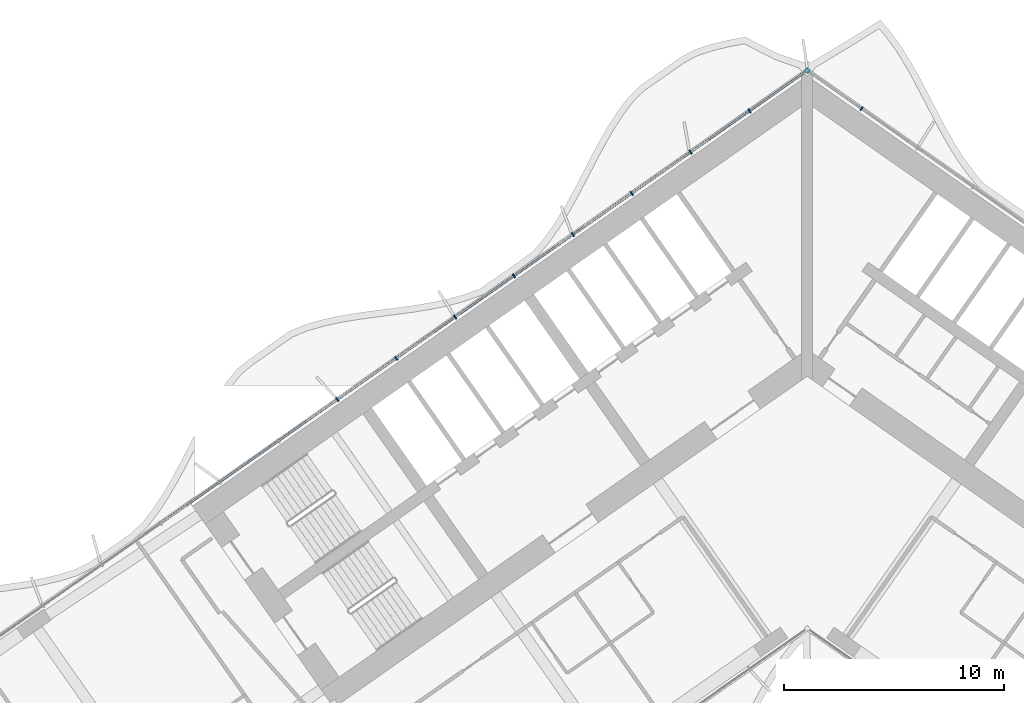
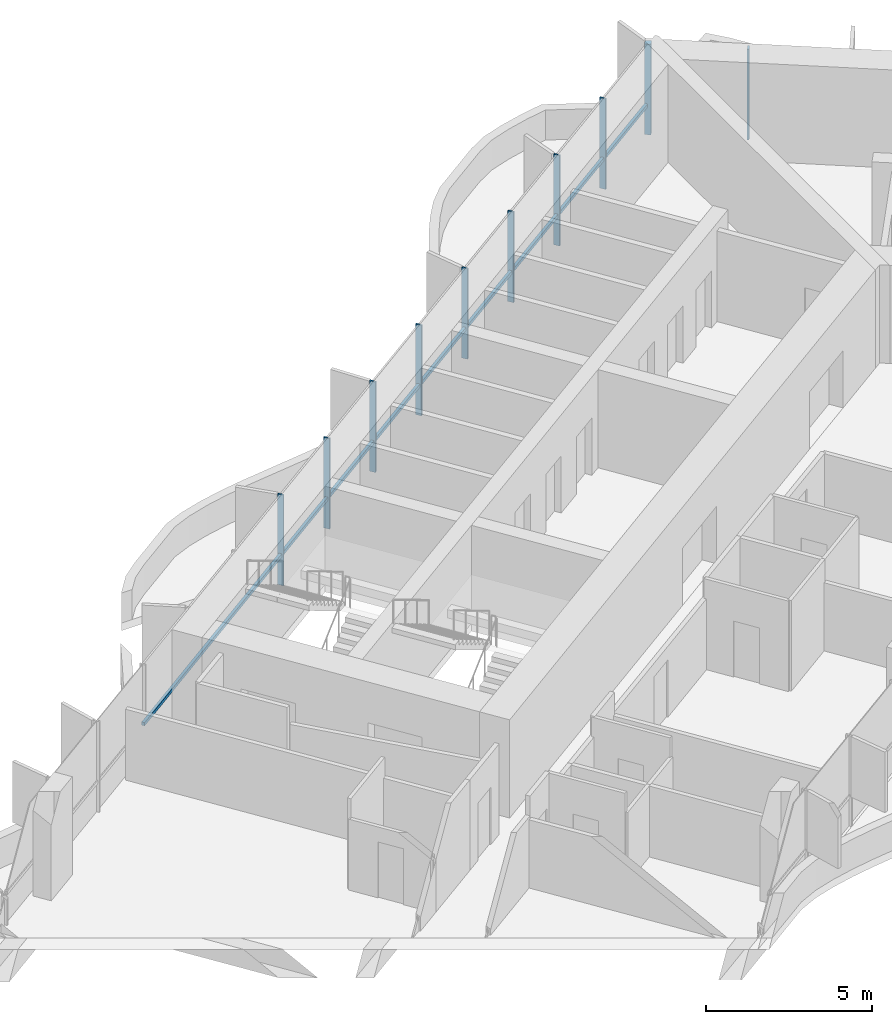
# One storey, part 7 of 23: 11 members, 1 element without a shape of its own.
"""IFC4 building model written with IfcOpenShell, lengths in metres."""

from ifc_helpers import new_model, si_unit, direction, frame, origin, origin_2d, place, context, subcontext, project, spatial, rectangle, extrude, material, material_profile, profile_set, type_object, element, aggregate, save


model = new_model("IFC4")

# Units and contexts
model_context = context("Model", 3, precision=1e-05, world=origin(), true_north=direction((0.0, 1.0)))
body_context = subcontext(model_context, "Body", "Model", "MODEL_VIEW")
ifc_project = project(units=[si_unit("LENGTHUNIT", "METRE"), si_unit("AREAUNIT", "SQUARE_METRE"), si_unit("VOLUMEUNIT", "CUBIC_METRE"), si_unit("PLANEANGLEUNIT", "RADIAN"), si_unit("MASSUNIT", "GRAM", prefix="KILO")], contexts=[model_context])

# Site, building, storey
site_placement = place(None, origin())
site = spatial("IfcSite", under=ifc_project, at=site_placement, CompositionType="ELEMENT")
building_placement = place(site_placement, origin())
building = spatial("IfcBuilding", under=site, at=building_placement, Name="Tel Ilan Convention Tower", CompositionType="ELEMENT")
storey_placement = place(building_placement, frame((0.0, 0.0, 83.300048828125)))
storey = spatial("IfcBuildingStorey", under=building, at=storey_placement, Name="L16", CompositionType="ELEMENT", Elevation=83.300048828125)

# Curtain wall, members
ifc_material_1 = material(Name="Aluminium, bronze anodised", Category="aluminium")
curtain_wall_type = type_object("IfcCurtainWallType", Name="CW2 STICK CURTAIN WALL, SPANDREL PANELS", PredefinedType="NOTDEFINED", material=ifc_material_1)
curtain_wall_placement = place(storey_placement, origin())
curtain_wall = element("IfcCurtainWall", 1, at=curtain_wall_placement, inside=storey, type_object=curtain_wall_type, Name="Curtain wall CW2-15.01", PredefinedType="NOTDEFINED")
ifc_material_2 = material(Name="Aluminium, bronze anodised", Category="aluminium")
ifc_material_profile_1 = material_profile(ifc_material_2, rectangle(XDim=0.199951171875, YDim=0.199951171875, at=origin_2d()), Name="CW CORNER MULLION 200x200")
ifc_profile_set_1 = profile_set([ifc_material_profile_1], Name="Aluminium, bronze anodised")
member_type_1 = type_object("IfcMemberType", Name="CW CORNER MULLION 200x200", PredefinedType="MULLION", material=ifc_profile_set_1)
member_1_placement = place(storey_placement, frame((0.0, 12.696044921875, 0.0), z_axis=(0.0, 0.0, 1.0), x_axis=(-0.819152044289, 0.573576436351, 0.0)))
member_1 = element("IfcMember", 2, at=member_1_placement, type_object=member_type_1, Name="Corner mullion", PredefinedType="MULLION", context=body_context, shape_type="SweptSolid", body=[
    extrude(rectangle(XDim=0.199951171875, YDim=0.199951171875, at=origin_2d()), origin(), (0.0, 0.0, 1.0), 3.320068359375),
])
ifc_material_3 = material(Name="Aluminium, bronze anodised", Category="aluminium")
ifc_material_profile_2 = material_profile(ifc_material_3, rectangle(XDim=0.06005859375, YDim=0.199951171875, at=origin_2d()), Name="CW MULLION 60x200")
ifc_profile_set_2 = profile_set([ifc_material_profile_2], Name="Aluminium, bronze anodised")
member_type_2 = type_object("IfcMemberType", Name="CW MULLION 60x200", PredefinedType="MULLION", material=ifc_profile_set_2)
member_2_placement = place(storey_placement, frame((2.4794921875, 10.9599609375, 0.0), z_axis=(0.0, 0.0, 1.0), x_axis=(-0.819152044289, 0.573576436351, 0.0)))
member_2 = element("IfcMember", 3, at=member_2_placement, type_object=member_type_2, Name="Mullion", PredefinedType="MULLION", context=body_context, shape_type="SweptSolid", body=[
    extrude(rectangle(XDim=0.06005859375, YDim=0.199951171875, at=origin_2d()), origin(), (0.0, 0.0, 1.0), 3.320068359375),
])
member_3_placement = place(storey_placement, frame((-2.622802734375, 10.859375, 0.0), z_axis=(0.0, 0.0, 1.0), x_axis=(-0.819152044289, -0.573576436351, 0.0)))
member_3 = element("IfcMember", 4, at=member_3_placement, type_object=member_type_2, Name="Mullion", PredefinedType="MULLION", context=body_context, shape_type="SweptSolid", body=[
    extrude(rectangle(XDim=0.06005859375, YDim=0.199951171875, at=origin_2d()), origin(), (0.0, 0.0, 1.0), 3.320068359375),
])
member_4_placement = place(storey_placement, frame((-5.30322265625, 8.982666015625, 0.0), z_axis=(0.0, 0.0, 1.0), x_axis=(-0.819152044289, -0.573576436351, 0.0)))
member_4 = element("IfcMember", 5, at=member_4_placement, type_object=member_type_2, Name="Mullion", PredefinedType="MULLION", context=body_context, shape_type="SweptSolid", body=[
    extrude(rectangle(XDim=0.06005859375, YDim=0.199951171875, at=origin_2d()), origin(), (0.0, 0.0, 1.0), 3.320068359375),
])
member_5_placement = place(storey_placement, frame((-7.9833984375, 7.10595703125, 0.0), z_axis=(0.0, 0.0, 1.0), x_axis=(-0.819152044289, -0.573576436351, 0.0)))
member_5 = element("IfcMember", 6, at=member_5_placement, type_object=member_type_2, Name="Mullion", PredefinedType="MULLION", context=body_context, shape_type="SweptSolid", body=[
    extrude(rectangle(XDim=0.06005859375, YDim=0.199951171875, at=origin_2d()), origin(), (0.0, 0.0, 1.0), 3.320068359375),
])
member_6_placement = place(storey_placement, frame((-10.663818359375, 5.229248046875, 0.0), z_axis=(0.0, 0.0, 1.0), x_axis=(-0.819152044289, -0.573576436351, 0.0)))
member_6 = element("IfcMember", 7, at=member_6_placement, type_object=member_type_2, Name="Mullion", PredefinedType="MULLION", context=body_context, shape_type="SweptSolid", body=[
    extrude(rectangle(XDim=0.06005859375, YDim=0.199951171875, at=origin_2d()), origin(), (0.0, 0.0, 1.0), 3.320068359375),
])
member_7_placement = place(storey_placement, frame((-13.343994140625, 3.3525390625, 0.0), z_axis=(0.0, 0.0, 1.0), x_axis=(-0.819152044289, -0.573576436351, 0.0)))
member_7 = element("IfcMember", 8, at=member_7_placement, type_object=member_type_2, Name="Mullion", PredefinedType="MULLION", context=body_context, shape_type="SweptSolid", body=[
    extrude(rectangle(XDim=0.06005859375, YDim=0.199951171875, at=origin_2d()), origin(), (0.0, 0.0, 1.0), 3.320068359375),
])
member_8_placement = place(storey_placement, frame((-16.024169921875, 1.475830078125, 0.0), z_axis=(0.0, 0.0, 1.0), x_axis=(-0.819152044289, -0.573576436351, 0.0)))
member_8 = element("IfcMember", 9, at=member_8_placement, type_object=member_type_2, Name="Mullion", PredefinedType="MULLION", context=body_context, shape_type="SweptSolid", body=[
    extrude(rectangle(XDim=0.06005859375, YDim=0.199951171875, at=origin_2d()), origin(), (0.0, 0.0, 1.0), 3.320068359375),
])
member_9_placement = place(storey_placement, frame((-18.70458984375, -0.401123046875, 0.0), z_axis=(0.0, 0.0, 1.0), x_axis=(-0.819152044289, -0.573576436351, 0.0)))
member_9 = element("IfcMember", 10, at=member_9_placement, type_object=member_type_2, Name="Mullion", PredefinedType="MULLION", context=body_context, shape_type="SweptSolid", body=[
    extrude(rectangle(XDim=0.06005859375, YDim=0.199951171875, at=origin_2d()), origin(), (0.0, 0.0, 1.0), 3.320068359375),
])
member_10_placement = place(storey_placement, frame((-21.384765625, -2.27783203125, 0.0), z_axis=(0.0, 0.0, 1.0), x_axis=(-0.819152044289, -0.573576436351, 0.0)))
member_10 = element("IfcMember", 11, at=member_10_placement, type_object=member_type_2, Name="Mullion", PredefinedType="MULLION", context=body_context, shape_type="SweptSolid", body=[
    extrude(rectangle(XDim=0.06005859375, YDim=0.199951171875, at=origin_2d()), origin(), (0.0, 0.0, 1.0), 3.320068359375),
])
ifc_material_4 = material(Name="Aluminium, bronze anodised", Category="aluminium")
ifc_material_profile_3 = material_profile(ifc_material_4, rectangle(XDim=0.10009765625, YDim=0.1201171875, at=origin_2d()), Name="CW TRANSOM 100x120")
ifc_profile_set_3 = profile_set([ifc_material_profile_3], Name="Aluminium, bronze anodised")
member_type_3 = type_object("IfcMemberType", Name="CW TRANSOM 100x120", PredefinedType="USERDEFINED", material=ifc_profile_set_3)
member_11_placement = place(storey_placement, frame((-0.1064453125, 12.62158203125, 1.099853515625), z_axis=(-0.81915076999, -0.573578256234, 0.0), x_axis=(0.573578256234, -0.81915076999, 0.0)))
member_11 = element("IfcMember", 12, at=member_11_placement, type_object=member_type_3, Name="Transom", ObjectType="TRANSOM", PredefinedType="USERDEFINED", context=body_context, shape_type="SweptSolid", body=[
    extrude(rectangle(XDim=0.10009765625, YDim=0.1201171875, at=origin_2d()), origin(), (0.0, 0.0, 1.0), 35.76220703125),
])
aggregate(curtain_wall, [member_2, member_1, member_3, member_4, member_5, member_6, member_7, member_8, member_9, member_10, member_11])

save(model, "model.ifc")
